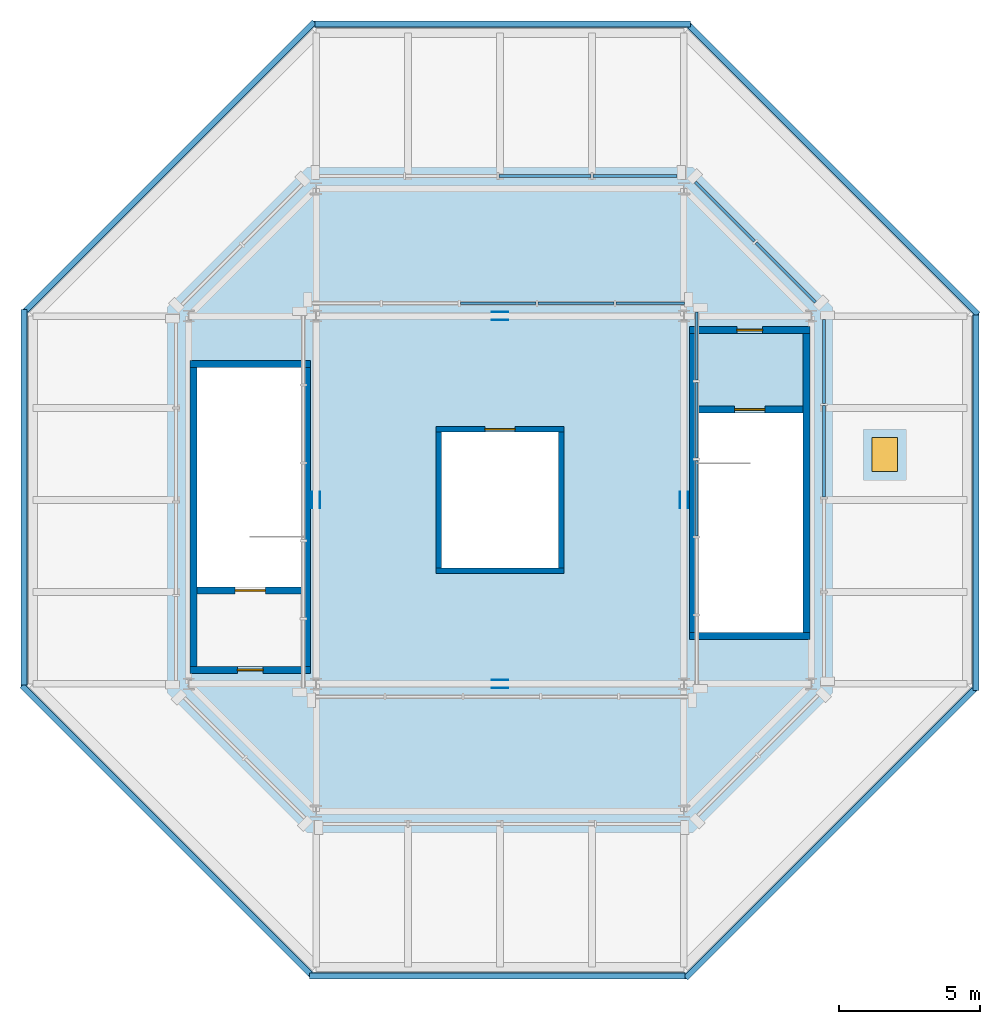
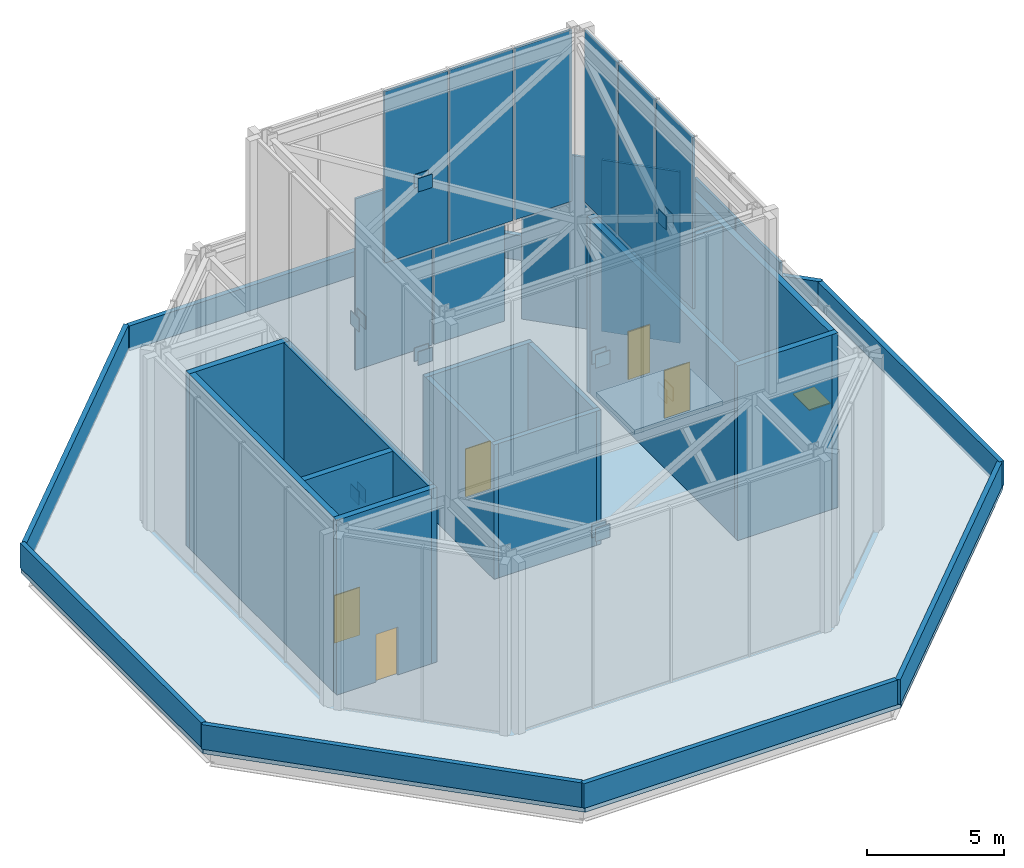
# One storey, part 5 of 6: 22 walls, 16 discrete accessories, 12 plates, 5 doors, 2 slabs, 1 window, 6 openings, 5 elements without a shape of their own.
"""IFC4 building model written with IfcOpenShell, lengths in metres."""

from ifc_helpers import new_model, si_unit, direction, frame, frame_2d, origin, origin_2d, place, context, subcontext, project, spatial, polyline, rectangle, outline, extrude, material, layer, layer_set, type_object, element, fill, aggregate, save


model = new_model("IFC4")

# Units and contexts
model_context = context("Model", 3, precision=1e-05, world=origin(), true_north=direction((0.0, 1.0)))
body_context = subcontext(model_context, "Body", "Model", "MODEL_VIEW")
ifc_project = project(units=[si_unit("LENGTHUNIT", "METRE"), si_unit("AREAUNIT", "SQUARE_METRE"), si_unit("VOLUMEUNIT", "CUBIC_METRE"), si_unit("PLANEANGLEUNIT", "RADIAN"), si_unit("MASSUNIT", "GRAM", prefix="KILO")], contexts=[model_context])

# Site, building, storey
site_placement = place(None, origin())
site = spatial("IfcSite", under=ifc_project, at=site_placement, CompositionType="ELEMENT")
building_placement = place(site_placement, origin())
building = spatial("IfcBuilding", under=site, at=building_placement, Name="Trevanion Tower", CompositionType="ELEMENT")
storey_placement = place(building_placement, frame((0.0, 0.0, 310.199951171875)))
storey = spatial("IfcBuildingStorey", under=building, at=storey_placement, Name="ROOF", CompositionType="ELEMENT", Elevation=310.199951171875)

# Curtain wall, plates
ifc_material_1 = material(Name="Aluminium louvres", Category="aluminium")
curtain_wall_type = type_object("IfcCurtainWallType", Name="CWC curtain wall", PredefinedType="USERDEFINED", material=ifc_material_1)
curtain_wall_1_placement = place(storey_placement, origin())
curtain_wall_1 = element("IfcCurtainWall", 1, at=curtain_wall_1_placement, inside=storey, type_object=curtain_wall_type, Name="CWC ROOF 0", ObjectType="LOUVRE SCREEN", PredefinedType="USERDEFINED")
ifc_material_2 = material(Name="Aluminium louvres", Category="aluminium")
ifc_layer_1 = layer(ifc_material_2, 0.10009765625)
ifc_layer_set_1 = layer_set([ifc_layer_1], Name="CWC louvre panel")
plate_type = type_object("IfcPlateType", Name="CWC louvre panel", PredefinedType="CURTAIN_PANEL", material=ifc_layer_set_1)
plate_1_placement = place(storey_placement, frame((10.097412109375, 8.0390625, 0.0751953125), z_axis=(0.0, 0.0, 1.0), x_axis=(-0.707106781187, 0.707106781187, 0.0)))
plate_1 = element("IfcPlate", 2, at=plate_1_placement, type_object=plate_type, Name="CWC panel 1.1", PredefinedType="CURTAIN_PANEL", context=body_context, shape_type="SweptSolid", body=[
    extrude(rectangle(XDim=2.9658203125, YDim=0.10009765625, at=origin_2d()), origin(), (0.0, 0.0, 1.0), 7.659912109375),
])
plate_2_placement = place(storey_placement, frame((7.947021484375, 10.189208984375, 0.0751953125), z_axis=(0.0, 0.0, 1.0), x_axis=(-0.707106781187, 0.707106781187, 0.0)))
plate_2 = element("IfcPlate", 3, at=plate_2_placement, type_object=plate_type, Name="CWC panel 2.1", PredefinedType="CURTAIN_PANEL", context=body_context, shape_type="SweptSolid", body=[
    extrude(rectangle(XDim=2.9658203125, YDim=0.10009765625, at=origin_2d()), origin(), (0.0, 0.0, 1.0), 7.659912109375),
])
aggregate(curtain_wall_1, [plate_1, plate_2])

curtain_wall_2_placement = place(storey_placement, origin())
curtain_wall_2 = element("IfcCurtainWall", 4, at=curtain_wall_2_placement, inside=storey, type_object=curtain_wall_type, Name="CWC ROOF 1", ObjectType="LOUVRE SCREEN", PredefinedType="USERDEFINED")
plate_3_placement = place(storey_placement, frame((4.769775390625, 11.449951171875, 0.0751953125), z_axis=(0.0, 0.0, 1.0), x_axis=(-1.0, 0.0, 0.0)))
plate_3 = element("IfcPlate", 5, at=plate_3_placement, type_object=plate_type, Name="CWC panel 1.1", PredefinedType="CURTAIN_PANEL", context=body_context, shape_type="SweptSolid", body=[
    extrude(rectangle(XDim=2.97314453125, YDim=0.10009765625, at=origin_2d()), origin(), (0.0, 0.0, 1.0), 7.659912109375),
])
plate_4_placement = place(storey_placement, frame((1.59033203125, 11.449951171875, 0.0751953125), z_axis=(0.0, 0.0, 1.0), x_axis=(-1.0, 0.0, 0.0)))
plate_4 = element("IfcPlate", 6, at=plate_4_placement, type_object=plate_type, Name="CWC panel 2.1", PredefinedType="CURTAIN_PANEL", context=body_context, shape_type="SweptSolid", body=[
    extrude(rectangle(XDim=3.235595703125, YDim=0.10009765625, at=origin_2d()), origin(), (0.0, 0.0, 1.0), 7.659912109375),
])
aggregate(curtain_wall_2, [plate_3, plate_4])

curtain_wall_3_placement = place(storey_placement, origin())
curtain_wall_3 = element("IfcCurtainWall", 7, at=curtain_wall_3_placement, inside=storey, type_object=curtain_wall_type, Name="CWC ROOF 7", ObjectType="LOUVRE SCREEN", PredefinedType="USERDEFINED")
plate_5_placement = place(storey_placement, frame((11.449951171875, 1.72021484375, 0.0751953125), z_axis=(0.0, 0.0, 1.0), x_axis=(0.0, 1.0, 0.0)))
plate_5 = element("IfcPlate", 8, at=plate_5_placement, type_object=plate_type, Name="CWC panel 3.1", PredefinedType="CURTAIN_PANEL", context=body_context, shape_type="SweptSolid", body=[
    extrude(rectangle(XDim=3.235595703125, YDim=0.10009765625, at=origin_2d()), origin(), (0.0, 0.0, 1.0), 7.659912109375),
])
plate_6_placement = place(storey_placement, frame((11.449951171875, 4.89990234375, 0.0751953125), z_axis=(0.0, 0.0, 1.0), x_axis=(0.0, 1.0, 0.0)))
plate_6 = element("IfcPlate", 9, at=plate_6_placement, type_object=plate_type, Name="CWC panel 4.1", PredefinedType="CURTAIN_PANEL", context=body_context, shape_type="SweptSolid", body=[
    extrude(rectangle(XDim=2.97314453125, YDim=0.10009765625, at=origin_2d()), origin(), (0.0, 0.0, 1.0), 7.659912109375),
])
aggregate(curtain_wall_3, [plate_5, plate_6])

curtain_wall_4_placement = place(storey_placement, origin())
curtain_wall_4 = element("IfcCurtainWall", 10, at=curtain_wall_4_placement, inside=storey, type_object=curtain_wall_type, Name="CWC ROOF 0", ObjectType="LOUVRE SCREEN", PredefinedType="USERDEFINED")
plate_7_placement = place(storey_placement, frame((5.311767578125, 6.949951171875, 8.0751953125), z_axis=(0.0, 0.0, 1.0), x_axis=(-1.0, 0.0, 0.0)))
plate_7 = element("IfcPlate", 11, at=plate_7_placement, type_object=plate_type, Name="CWC panel 1.1", PredefinedType="CURTAIN_PANEL", context=body_context, shape_type="SweptSolid", body=[
    extrude(rectangle(XDim=2.41650390625, YDim=0.10009765625, at=origin_2d()), origin(), (0.0, 0.0, 1.0), 7.659912109375),
])
plate_8_placement = place(storey_placement, frame((2.68896484375, 6.949951171875, 8.0751953125), z_axis=(0.0, 0.0, 1.0), x_axis=(-1.0, 0.0, 0.0)))
plate_8 = element("IfcPlate", 12, at=plate_8_placement, type_object=plate_type, Name="CWC panel 2.1", PredefinedType="CURTAIN_PANEL", context=body_context, shape_type="SweptSolid", body=[
    extrude(rectangle(XDim=2.678955078125, YDim=0.10009765625, at=origin_2d()), origin(), (0.0, 0.0, 1.0), 7.659912109375),
])
plate_9_placement = place(storey_placement, frame((-0.06494140625, 6.949951171875, 8.0751953125), z_axis=(0.0, 0.0, 1.0), x_axis=(-1.0, 0.0, 0.0)))
plate_9 = element("IfcPlate", 13, at=plate_9_placement, type_object=plate_type, Name="CWC panel 3.1", PredefinedType="CURTAIN_PANEL", context=body_context, shape_type="SweptSolid", body=[
    extrude(rectangle(XDim=2.678955078125, YDim=0.10009765625, at=origin_2d()), origin(), (0.0, 0.0, 1.0), 7.659912109375),
])
aggregate(curtain_wall_4, [plate_7, plate_8, plate_9])

curtain_wall_5_placement = place(storey_placement, origin())
curtain_wall_5 = element("IfcCurtainWall", 14, at=curtain_wall_5_placement, inside=storey, type_object=curtain_wall_type, Name="CWC ROOF 3", ObjectType="LOUVRE SCREEN", PredefinedType="USERDEFINED")
plate_10_placement = place(storey_placement, frame((6.949951171875, 0.06494140625, 8.0751953125), z_axis=(0.0, 0.0, 1.0), x_axis=(0.0, 1.0, 0.0)))
plate_10 = element("IfcPlate", 15, at=plate_10_placement, type_object=plate_type, Name="CWC panel 3.1", PredefinedType="CURTAIN_PANEL", context=body_context, shape_type="SweptSolid", body=[
    extrude(rectangle(XDim=2.678955078125, YDim=0.10009765625, at=origin_2d()), origin(), (0.0, 0.0, 1.0), 7.659912109375),
])
plate_11_placement = place(storey_placement, frame((6.949951171875, 2.819091796875, 8.0751953125), z_axis=(0.0, 0.0, 1.0), x_axis=(0.0, 1.0, 0.0)))
plate_11 = element("IfcPlate", 16, at=plate_11_placement, type_object=plate_type, Name="CWC panel 4.1", PredefinedType="CURTAIN_PANEL", context=body_context, shape_type="SweptSolid", body=[
    extrude(rectangle(XDim=2.678955078125, YDim=0.10009765625, at=origin_2d()), origin(), (0.0, 0.0, 1.0), 7.659912109375),
])
plate_12_placement = place(storey_placement, frame((6.949951171875, 5.441650390625, 8.0751953125), z_axis=(0.0, 0.0, 1.0), x_axis=(0.0, 1.0, 0.0)))
plate_12 = element("IfcPlate", 17, at=plate_12_placement, type_object=plate_type, Name="CWC panel 5.1", PredefinedType="CURTAIN_PANEL", context=body_context, shape_type="SweptSolid", body=[
    extrude(rectangle(XDim=2.41650390625, YDim=0.10009765625, at=origin_2d()), origin(), (0.0, 0.0, 1.0), 7.659912109375),
])
aggregate(curtain_wall_5, [plate_10, plate_11, plate_12])

# Slab, opening, window
ifc_material_3 = material(Name="Concrete 5,000 psi on composite metal deck", Category="concrete")
ifc_layer_2 = layer(ifc_material_3, 0.18994140625)
ifc_layer_set_2 = layer_set([ifc_layer_2], Name="RS1 composite roof 190")
slab_type_1 = type_object("IfcSlabType", Name="RS1 composite roof 190", PredefinedType="ROOF", material=ifc_layer_set_2)
slab_1_placement = place(storey_placement, frame((0.0, 0.0, -0.18994140625)))
slab_1 = element("IfcSlab", 18, at=slab_1_placement, inside=storey, type_object=slab_type_1, Name="RS1 main roof", PredefinedType="ROOF", context=body_context, shape_type="SweptSolid", body=[
    extrude(outline(polyline([(16.919921875, -6.674072265625), (16.919921875, 6.674072265625), (6.674072265625, 16.919921875), (-6.674072265625, 16.919921875), (-16.919921875, 6.674072265625), (-16.919921875, -6.674072265625), (-6.674072265625, -16.919921875), (6.674072265625, -16.919921875), (16.919921875, -6.674072265625)]), holes=[polyline([(6.949951171875, -4.675048828125), (10.699951171875, -4.675048828125), (10.699951171875, 5.875), (6.949951171875, 5.875), (6.949951171875, -4.675048828125)]), polyline([(-6.949951171875, 4.675048828125), (-10.699951171875, 4.675048828125), (-10.699951171875, -5.875), (-6.949951171875, -5.875), (-6.949951171875, 4.675048828125)]), polyline([(-2.066650390625, -2.39990234375), (2.066650390625, -2.39990234375), (2.066650390625, 2.39990234375), (-2.066650390625, 2.39990234375), (-2.066650390625, -2.39990234375)])]), origin(), (0.0, 0.0, 1.0), 0.18994140625),
])
opening_1_placement = place(slab_1_placement, frame((13.60009765625, 1.60009765625, 0.0)))
opening_1 = element("IfcOpeningElement", 19, at=opening_1_placement, cuts=slab_1, Name="Opening RH1", PredefinedType="OPENING", context=body_context, shape_type="SweptSolid", body=[
    extrude(rectangle(XDim=0.89990234375, YDim=1.199951171875, at=origin_2d()), origin(), (0.0, 0.0, 1.0), 0.18994140625),
])
ifc_material_4 = material(Name="Galvanised steel, insulated", Category="steel")
window_type = type_object("IfcWindowType", Name="RH1 roof access hatch 900x1200", PartitioningType="SINGLE_PANEL", PredefinedType="SKYLIGHT", material=ifc_material_4)
window_placement = place(opening_1_placement, frame((0.0, 0.0, 0.139892578125)))
window = element("IfcWindow", 20, at=window_placement, inside=storey, type_object=window_type, Name="RH1 ROOF", OverallHeight=1.199951171875, OverallWidth=0.89990234375, PartitioningType="SINGLE_PANEL", PredefinedType="SKYLIGHT", context=body_context, shape_type="SweptSolid", body=[
    extrude(rectangle(XDim=0.89990234375, YDim=1.199951171875, at=origin_2d()), origin(), (0.0, 0.0, 1.0), 0.050048828125),
])
fill(opening_1, window)

# Slab
ifc_material_5 = material(Name="Concrete 5,000 psi", Category="concrete")
ifc_layer_3 = layer(ifc_material_5, 0.199951171875)
ifc_layer_set_3 = layer_set([ifc_layer_3], Name="SL2 core floor 200")
slab_type_2 = type_object("IfcSlabType", Name="SL2 core floor 200", PredefinedType="FLOOR", material=ifc_layer_set_3)
slab_2_placement = place(storey_placement, frame((0.0, 0.0, -0.199951171875)))
element("IfcSlab", 21, at=slab_2_placement, inside=storey, type_object=slab_type_2, Name="SL2 ROOF E roof access lobby floor", PredefinedType="FLOOR", context=body_context, shape_type="SweptSolid", body=[
    extrude(outline(polyline([(6.949951171875, 3.074951171875), (10.699951171875, 3.074951171875), (10.699951171875, 5.875), (6.949951171875, 5.875), (6.949951171875, 3.074951171875)])), origin(), (0.0, 0.0, 1.0), 0.199951171875),
])

# Walls
ifc_material_6 = material(Name="Reinforced concrete parapet faced in bronze metal coping", Category="concrete")
ifc_layer_4 = layer(ifc_material_6, 0.199951171875)
ifc_layer_set_4 = layer_set([ifc_layer_4], Name="PP1 parapet 200")
wall_type_1 = type_object("IfcWallType", Name="PP1 parapet 200", PredefinedType="PARAPET", material=ifc_layer_set_4)
wall_1_placement = place(storey_placement, frame((16.749267578125, -6.703369140625, 0.0), z_axis=(0.0, 0.0, 1.0), x_axis=(-0.707115254047, -0.707098308225, 0.0)))
element("IfcWall", 22, at=wall_1_placement, inside=storey, type_object=wall_type_1, Name="PP1 ROOF 1", PredefinedType="PARAPET", context=body_context, shape_type="SweptSolid", body=[
    extrude(rectangle(XDim=14.4072265625, YDim=0.199951171875, at=frame_2d((7.20361328125, 0.0))), origin(), (0.0, 0.0, 1.0), 1.10009765625),
])
wall_2_placement = place(storey_placement, frame((6.532470703125, -16.820068359375, 0.0), z_axis=(0.0, 0.0, 1.0), x_axis=(-1.0, 0.0, 0.0)))
element("IfcWall", 23, at=wall_2_placement, inside=storey, type_object=wall_type_1, Name="PP1 ROOF 2", PredefinedType="PARAPET", context=body_context, shape_type="SweptSolid", body=[
    extrude(rectangle(XDim=13.264892578125, YDim=0.199951171875, at=frame_2d((6.63232421875, 0.0))), origin(), (0.0, 0.0, 1.0), 1.10009765625),
])
wall_3_placement = place(storey_placement, frame((-6.703369140625, -16.749267578125, 0.0), z_axis=(0.0, 0.0, 1.0), x_axis=(-0.707098308225, 0.707115254047, 0.0)))
element("IfcWall", 24, at=wall_3_placement, inside=storey, type_object=wall_type_1, Name="PP1 ROOF 3", PredefinedType="PARAPET", context=body_context, shape_type="SweptSolid", body=[
    extrude(rectangle(XDim=14.4072265625, YDim=0.199951171875, at=frame_2d((7.20361328125, 0.0))), origin(), (0.0, 0.0, 1.0), 1.10009765625),
])
wall_4_placement = place(storey_placement, frame((-16.820068359375, -6.532470703125, 0.0), z_axis=(0.0, 0.0, 1.0), x_axis=(0.0, 1.0, 0.0)))
element("IfcWall", 25, at=wall_4_placement, inside=storey, type_object=wall_type_1, Name="PP1 ROOF 4", PredefinedType="PARAPET", context=body_context, shape_type="SweptSolid", body=[
    extrude(rectangle(XDim=13.264892578125, YDim=0.199951171875, at=frame_2d((6.63232421875, 0.0))), origin(), (0.0, 0.0, 1.0), 1.10009765625),
])
wall_5_placement = place(storey_placement, frame((-16.749267578125, 6.703369140625, 0.0), z_axis=(0.0, 0.0, 1.0), x_axis=(0.707115254047, 0.707098308225, 0.0)))
element("IfcWall", 26, at=wall_5_placement, inside=storey, type_object=wall_type_1, Name="PP1 ROOF 5", PredefinedType="PARAPET", context=body_context, shape_type="SweptSolid", body=[
    extrude(rectangle(XDim=14.4072265625, YDim=0.199951171875, at=frame_2d((7.20361328125, 0.0))), origin(), (0.0, 0.0, 1.0), 1.10009765625),
])
wall_6_placement = place(storey_placement, frame((-6.532470703125, 16.820068359375, 0.0), z_axis=(0.0, 0.0, 1.0), x_axis=(1.0, 0.0, 0.0)))
element("IfcWall", 27, at=wall_6_placement, inside=storey, type_object=wall_type_1, Name="PP1 ROOF 6", PredefinedType="PARAPET", context=body_context, shape_type="SweptSolid", body=[
    extrude(rectangle(XDim=13.264892578125, YDim=0.199951171875, at=frame_2d((6.63232421875, 0.0))), origin(), (0.0, 0.0, 1.0), 1.10009765625),
])
wall_7_placement = place(storey_placement, frame((6.703369140625, 16.749267578125, 0.0), z_axis=(0.0, 0.0, 1.0), x_axis=(0.707098308225, -0.707115254047, 0.0)))
element("IfcWall", 28, at=wall_7_placement, inside=storey, type_object=wall_type_1, Name="PP1 ROOF 7", PredefinedType="PARAPET", context=body_context, shape_type="SweptSolid", body=[
    extrude(rectangle(XDim=14.4072265625, YDim=0.199951171875, at=frame_2d((7.20361328125, 0.0))), origin(), (0.0, 0.0, 1.0), 1.10009765625),
])
wall_8_placement = place(storey_placement, frame((16.820068359375, 6.532470703125, 0.0), z_axis=(0.0, 0.0, 1.0), x_axis=(0.0, -1.0, 0.0)))
element("IfcWall", 29, at=wall_8_placement, inside=storey, type_object=wall_type_1, Name="PP1 ROOF 8", PredefinedType="PARAPET", context=body_context, shape_type="SweptSolid", body=[
    extrude(rectangle(XDim=13.264892578125, YDim=0.199951171875, at=frame_2d((6.63232421875, 0.0))), origin(), (0.0, 0.0, 1.0), 1.10009765625),
])
ifc_material_7 = material(Name="Concrete masonry, grouted", Category="masonry")
ifc_layer_5 = layer(ifc_material_7, 0.199951171875)
ifc_layer_set_5 = layer_set([ifc_layer_5], Name="PT2 partition 200 2 HR")
wall_type_2 = type_object("IfcWallType", Name="PT2 partition 200 2 HR", PredefinedType="PARTITIONING", material=ifc_layer_set_5)
for number, where, z_axis, x_axis, name in (
    (30, (-2.166748046875, -2.60009765625, 0.0), (0.0, 0.0, 1.0), (0.0, 1.0, 0.0), "PT2 ROOF LH1"),
    (31, (2.166748046875, 2.60009765625, 0.0), (0.0, 0.0, 1.0), (0.0, -1.0, 0.0), "PT2 ROOF LH2"),
):
    element("IfcWall", number, at=place(storey_placement, frame(where, z_axis=z_axis, x_axis=x_axis)), inside=storey, type_object=wall_type_2, Name=name, PredefinedType="PARTITIONING", context=body_context, shape_type="SweptSolid", body=[
        extrude(rectangle(XDim=5.2001953125, YDim=0.199951171875, at=frame_2d((2.60009765625, 0.0))), origin(), (0.0, 0.0, 1.0), 6.0),
    ])

# Wall, opening, door
wall_9_placement = place(storey_placement, frame((-2.2666015625, 2.5, 0.0), z_axis=(0.0, 0.0, 1.0), x_axis=(1.0, 0.0, 0.0)))
wall_9 = element("IfcWall", 32, at=wall_9_placement, inside=storey, type_object=wall_type_2, Name="PT2 ROOF LH3", PredefinedType="PARTITIONING", context=body_context, shape_type="SweptSolid", body=[
    extrude(rectangle(XDim=4.533203125, YDim=0.199951171875, at=frame_2d((2.2666015625, 0.0))), origin(), (0.0, 0.0, 1.0), 6.0),
])
opening_2_placement = place(wall_9_placement, frame((1.733154296875, 0.0, 0.0)))
opening_2 = element("IfcOpeningElement", 33, at=opening_2_placement, cuts=wall_9, Name="Opening 76-005", PredefinedType="OPENING", context=body_context, shape_type="SweptSolid", body=[
    extrude(rectangle(XDim=1.06689453125, YDim=2.134033203125, at=frame_2d((0.533447265625, 1.06689453125))), frame((0.0, 0.10986328125, 0.0), z_axis=(0.0, -1.0, 0.0), x_axis=(1.0, 0.0, 0.0)), (0.0, 0.0, 1.0), 0.219970703125),
])
ifc_material_8 = material(Name="Stainless steel, fire rated", Category="steel")
door_type_1 = type_object("IfcDoorType", Name="LD1 lift landing door", OperationType="SLIDING_TO_LEFT", PredefinedType="DOOR", material=ifc_material_8)
door_1_placement = place(opening_2_placement, origin())
door_1 = element("IfcDoor", 34, at=door_1_placement, inside=storey, type_object=door_type_1, Name="Door 76-005", OperationType="SLIDING_TO_LEFT", OverallHeight=2.134033203125, OverallWidth=1.06689453125, PredefinedType="DOOR", context=body_context, shape_type="SweptSolid", body=[
    extrude(rectangle(XDim=1.06689453125, YDim=2.134033203125, at=frame_2d((0.533447265625, 1.06689453125))), frame((0.0, 0.02490234375, 0.0), z_axis=(0.0, -1.0, 0.0), x_axis=(1.0, 0.0, 0.0)), (0.0, 0.0, 1.0), 0.050048828125),
])
fill(opening_2, door_1)

# Walls
wall_10_placement = place(storey_placement, frame((2.2666015625, -2.5, 0.0), z_axis=(0.0, 0.0, 1.0), x_axis=(-1.0, 0.0, 0.0)))
element("IfcWall", 35, at=wall_10_placement, inside=storey, type_object=wall_type_2, Name="PT2 ROOF LH4", PredefinedType="PARTITIONING", context=body_context, shape_type="SweptSolid", body=[
    extrude(rectangle(XDim=4.533203125, YDim=0.199951171875, at=frame_2d((2.2666015625, 0.0))), origin(), (0.0, 0.0, 1.0), 6.0),
])
ifc_material_9 = material(Name="Concrete masonry, grouted, two-hour", Category="masonry")
ifc_layer_6 = layer(ifc_material_9, 0.25)
ifc_layer_set_6 = layer_set([ifc_layer_6], Name="PT3 partition 250 2 HR")
wall_type_3 = type_object("IfcWallType", Name="PT3 partition 250 2 HR", PredefinedType="PARTITIONING", material=ifc_layer_set_6)
for number, where, z_axis, x_axis, name in (
    (36, (10.824951171875, -4.925048828125, 0.0), (0.0, 0.0, 1.0), (0.0, 1.0, 0.0), "PT3 ROOF EH1"),
    (37, (6.824951171875, 6.125, 0.0), (0.0, 0.0, 1.0), (0.0, -1.0, 0.0), "PT3 ROOF EH2"),
):
    element("IfcWall", number, at=place(storey_placement, frame(where, z_axis=z_axis, x_axis=x_axis)), inside=storey, type_object=wall_type_3, Name=name, PredefinedType="PARTITIONING", context=body_context, shape_type="SweptSolid", body=[
        extrude(rectangle(XDim=11.050048828125, YDim=0.25, at=frame_2d((5.52490234375, 0.0))), origin(), (0.0, 0.0, 1.0), 7.81005859375),
    ])
wall_11_placement = place(storey_placement, frame((6.699951171875, -4.800048828125, 0.0), z_axis=(0.0, 0.0, 1.0), x_axis=(1.0, 0.0, 0.0)))
element("IfcWall", 38, at=wall_11_placement, inside=storey, type_object=wall_type_3, Name="PT3 ROOF EH3", PredefinedType="PARTITIONING", context=body_context, shape_type="SweptSolid", body=[
    extrude(rectangle(XDim=4.25, YDim=0.25, at=frame_2d((2.125, 0.0))), origin(), (0.0, 0.0, 1.0), 7.81005859375),
])

# Wall, opening, door
wall_12_placement = place(storey_placement, frame((10.949951171875, 6.0, 0.0), z_axis=(0.0, 0.0, 1.0), x_axis=(-1.0, 0.0, 0.0)))
wall_12 = element("IfcWall", 39, at=wall_12_placement, inside=storey, type_object=wall_type_3, Name="PT3 ROOF EH4", PredefinedType="PARTITIONING", context=body_context, shape_type="SweptSolid", body=[
    extrude(rectangle(XDim=4.25, YDim=0.25, at=frame_2d((2.125, 0.0))), origin(), (0.0, 0.0, 1.0), 7.81005859375),
])
opening_3_placement = place(wall_12_placement, frame((1.66748046875, 0.0, 0.0)))
opening_3 = element("IfcOpeningElement", 40, at=opening_3_placement, cuts=wall_12, Name="Opening 76-002", PredefinedType="OPENING", context=body_context, shape_type="SweptSolid", body=[
    extrude(rectangle(XDim=0.9150390625, YDim=2.134033203125, at=frame_2d((0.45751953125, 1.06689453125))), frame((0.0, 0.135009765625, 0.0), z_axis=(0.0, -1.0, 0.0), x_axis=(1.0, 0.0, 0.0)), (0.0, 0.0, 1.0), 0.27001953125),
])
ifc_material_10 = material(Name="Hollow metal, insulated, fire rated", Category="steel")
door_type_2 = type_object("IfcDoorType", Name="D19 roof access door", OperationType="SINGLE_SWING_RIGHT", PredefinedType="DOOR", material=ifc_material_10)
door_2_placement = place(opening_3_placement, origin())
door_2 = element("IfcDoor", 41, at=door_2_placement, inside=storey, type_object=door_type_2, Name="Door 76-002", OperationType="SINGLE_SWING_RIGHT", OverallHeight=2.134033203125, OverallWidth=0.9150390625, PredefinedType="DOOR", context=body_context, shape_type="SweptSolid", body=[
    extrude(rectangle(XDim=0.9150390625, YDim=2.134033203125, at=frame_2d((0.45751953125, 1.06689453125))), frame((0.0, 0.02490234375, 0.0), z_axis=(0.0, -1.0, 0.0), x_axis=(1.0, 0.0, 0.0)), (0.0, 0.0, 1.0), 0.050048828125),
])
fill(opening_3, door_2)

wall_13_placement = place(storey_placement, frame((6.949951171875, 3.199951171875, 0.0), z_axis=(0.0, 0.0, 1.0), x_axis=(1.0, 0.0, 0.0)))
wall_13 = element("IfcWall", 42, at=wall_13_placement, inside=storey, type_object=wall_type_3, Name="PT3 ROOF EH5", PredefinedType="PARTITIONING", context=body_context, shape_type="SweptSolid", body=[
    extrude(rectangle(XDim=3.75, YDim=0.25, at=frame_2d((1.875, 0.0))), origin(), (0.0, 0.0, 1.0), 7.81005859375),
])
opening_4_placement = place(wall_13_placement, frame((1.341552734375, 0.0, 0.0)))
opening_4 = element("IfcOpeningElement", 43, at=opening_4_placement, cuts=wall_13, Name="Opening 76-001", PredefinedType="OPENING", context=body_context, shape_type="SweptSolid", body=[
    extrude(rectangle(XDim=1.06689453125, YDim=2.134033203125, at=frame_2d((0.533447265625, 1.06689453125))), frame((0.0, 0.135009765625, 0.0), z_axis=(0.0, -1.0, 0.0), x_axis=(1.0, 0.0, 0.0)), (0.0, 0.0, 1.0), 0.27001953125),
])
ifc_material_11 = material(Name="Hollow metal, fire rated", Category="steel")
door_type_3 = type_object("IfcDoorType", Name="D2 exit stair door", OperationType="SINGLE_SWING_LEFT", PredefinedType="DOOR", material=ifc_material_11)
door_3_placement = place(opening_4_placement, origin())
door_3 = element("IfcDoor", 44, at=door_3_placement, inside=storey, type_object=door_type_3, Name="Door 76-001", OperationType="SINGLE_SWING_LEFT", OverallHeight=2.134033203125, OverallWidth=1.06689453125, PredefinedType="DOOR", context=body_context, shape_type="SweptSolid", body=[
    extrude(rectangle(XDim=1.06689453125, YDim=2.134033203125, at=frame_2d((0.533447265625, 1.06689453125))), frame((0.0, 0.02490234375, 0.0), z_axis=(0.0, -1.0, 0.0), x_axis=(1.0, 0.0, 0.0)), (0.0, 0.0, 1.0), 0.050048828125),
])
fill(opening_4, door_3)

# Walls
for number, where, z_axis, x_axis, name in (
    (45, (-10.824951171875, 4.925048828125, 0.0), (0.0, 0.0, 1.0), (0.0, -1.0, 0.0), "PT3 ROOF WH1"),
    (46, (-6.824951171875, -6.125, 0.0), (0.0, 0.0, 1.0), (0.0, 1.0, 0.0), "PT3 ROOF WH2"),
):
    element("IfcWall", number, at=place(storey_placement, frame(where, z_axis=z_axis, x_axis=x_axis)), inside=storey, type_object=wall_type_3, Name=name, PredefinedType="PARTITIONING", context=body_context, shape_type="SweptSolid", body=[
        extrude(rectangle(XDim=11.050048828125, YDim=0.25, at=frame_2d((5.52490234375, 0.0))), origin(), (0.0, 0.0, 1.0), 7.81005859375),
    ])
wall_14_placement = place(storey_placement, frame((-6.699951171875, 4.800048828125, 0.0), z_axis=(0.0, 0.0, 1.0), x_axis=(-1.0, 0.0, 0.0)))
element("IfcWall", 47, at=wall_14_placement, inside=storey, type_object=wall_type_3, Name="PT3 ROOF WH3", PredefinedType="PARTITIONING", context=body_context, shape_type="SweptSolid", body=[
    extrude(rectangle(XDim=4.25, YDim=0.25, at=frame_2d((2.125, 0.0))), origin(), (0.0, 0.0, 1.0), 7.81005859375),
])

# Wall, opening, door
wall_15_placement = place(storey_placement, frame((-10.949951171875, -6.0, 0.0), z_axis=(0.0, 0.0, 1.0), x_axis=(1.0, 0.0, 0.0)))
wall_15 = element("IfcWall", 48, at=wall_15_placement, inside=storey, type_object=wall_type_3, Name="PT3 ROOF WH4", PredefinedType="PARTITIONING", context=body_context, shape_type="SweptSolid", body=[
    extrude(rectangle(XDim=4.25, YDim=0.25, at=frame_2d((2.125, 0.0))), origin(), (0.0, 0.0, 1.0), 7.81005859375),
])
opening_5_placement = place(wall_15_placement, frame((1.66748046875, 0.0, 0.0)))
opening_5 = element("IfcOpeningElement", 49, at=opening_5_placement, cuts=wall_15, Name="Opening 76-004", PredefinedType="OPENING", context=body_context, shape_type="SweptSolid", body=[
    extrude(rectangle(XDim=0.9150390625, YDim=2.134033203125, at=frame_2d((0.45751953125, 1.06689453125))), frame((0.0, 0.135009765625, 0.0), z_axis=(0.0, -1.0, 0.0), x_axis=(1.0, 0.0, 0.0)), (0.0, 0.0, 1.0), 0.27001953125),
])
door_4_placement = place(opening_5_placement, origin())
door_4 = element("IfcDoor", 50, at=door_4_placement, inside=storey, type_object=door_type_2, Name="Door 76-004", OperationType="SINGLE_SWING_RIGHT", OverallHeight=2.134033203125, OverallWidth=0.9150390625, PredefinedType="DOOR", context=body_context, shape_type="SweptSolid", body=[
    extrude(rectangle(XDim=0.9150390625, YDim=2.134033203125, at=frame_2d((0.45751953125, 1.06689453125))), frame((0.0, 0.02490234375, 0.0), z_axis=(0.0, -1.0, 0.0), x_axis=(1.0, 0.0, 0.0)), (0.0, 0.0, 1.0), 0.050048828125),
])
fill(opening_5, door_4)

wall_16_placement = place(storey_placement, frame((-6.949951171875, -3.199951171875, 0.0), z_axis=(0.0, 0.0, 1.0), x_axis=(-1.0, 0.0, 0.0)))
wall_16 = element("IfcWall", 51, at=wall_16_placement, inside=storey, type_object=wall_type_3, Name="PT3 ROOF WH5", PredefinedType="PARTITIONING", context=body_context, shape_type="SweptSolid", body=[
    extrude(rectangle(XDim=3.75, YDim=0.25, at=frame_2d((1.875, 0.0))), origin(), (0.0, 0.0, 1.0), 7.81005859375),
])
opening_6_placement = place(wall_16_placement, frame((1.341552734375, 0.0, 0.0)))
opening_6 = element("IfcOpeningElement", 52, at=opening_6_placement, cuts=wall_16, Name="Opening 76-003", PredefinedType="OPENING", context=body_context, shape_type="SweptSolid", body=[
    extrude(rectangle(XDim=1.06689453125, YDim=2.134033203125, at=frame_2d((0.533447265625, 1.06689453125))), frame((0.0, 0.135009765625, 0.0), z_axis=(0.0, -1.0, 0.0), x_axis=(1.0, 0.0, 0.0)), (0.0, 0.0, 1.0), 0.27001953125),
])
door_5_placement = place(opening_6_placement, origin())
door_5 = element("IfcDoor", 53, at=door_5_placement, inside=storey, type_object=door_type_3, Name="Door 76-003", OperationType="SINGLE_SWING_LEFT", OverallHeight=2.134033203125, OverallWidth=1.06689453125, PredefinedType="DOOR", context=body_context, shape_type="SweptSolid", body=[
    extrude(rectangle(XDim=1.06689453125, YDim=2.134033203125, at=frame_2d((0.533447265625, 1.06689453125))), frame((0.0, 0.02490234375, 0.0), z_axis=(0.0, -1.0, 0.0), x_axis=(1.0, 0.0, 0.0)), (0.0, 0.0, 1.0), 0.050048828125),
])
fill(opening_6, door_5)

# Discrete accessories
ifc_material_12 = material(Name="Steel ASTM A572 Grade 50", Category="steel")
discrete_accessory_type = type_object("IfcDiscreteAccessoryType", Name="CX1 crossing plate 25", PredefinedType="ANCHORPLATE", material=ifc_material_12)
for number, where, z_axis, x_axis, name in (
    (54, (6.360595703125, 0.0, 3.45068359375), (0.0, 0.0, 1.0), (0.0, 1.0, 0.0), "CX1 crown T2 brace crossing plate, outer face"),
    (55, (6.639404296875, 0.0, 3.45068359375), (0.0, 0.0, 1.0), (0.0, 1.0, 0.0), "CX1 crown T2 brace crossing plate, inner face"),
    (56, (6.360595703125, 0.0, 11.201416015625), (0.0, 0.0, 1.0), (0.0, 1.0, 0.0), "CX1 crown T2 brace crossing plate, outer face"),
    (57, (6.639404296875, 0.0, 11.201416015625), (0.0, 0.0, 1.0), (0.0, 1.0, 0.0), "CX1 crown T2 brace crossing plate, inner face"),
    (58, (0.0, 6.360595703125, 3.45068359375), (0.0, 0.0, 1.0), (-1.0, 0.0, 0.0), "CX1 crown T2 brace crossing plate, outer face"),
    (59, (0.0, 6.639404296875, 3.45068359375), (0.0, 0.0, 1.0), (-1.0, 0.0, 0.0), "CX1 crown T2 brace crossing plate, inner face"),
    (60, (0.0, 6.360595703125, 11.201416015625), (0.0, 0.0, 1.0), (-1.0, 0.0, 0.0), "CX1 crown T2 brace crossing plate, outer face"),
    (61, (0.0, 6.639404296875, 11.201416015625), (0.0, 0.0, 1.0), (-1.0, 0.0, 0.0), "CX1 crown T2 brace crossing plate, inner face"),
    (62, (-6.360595703125, 0.0, 3.45068359375), (0.0, 0.0, 1.0), (0.0, -1.0, 0.0), "CX1 crown T2 brace crossing plate, outer face"),
    (63, (-6.639404296875, 0.0, 3.45068359375), (0.0, 0.0, 1.0), (0.0, -1.0, 0.0), "CX1 crown T2 brace crossing plate, inner face"),
    (64, (-6.360595703125, 0.0, 11.201416015625), (0.0, 0.0, 1.0), (0.0, -1.0, 0.0), "CX1 crown T2 brace crossing plate, outer face"),
    (65, (-6.639404296875, 0.0, 11.201416015625), (0.0, 0.0, 1.0), (0.0, -1.0, 0.0), "CX1 crown T2 brace crossing plate, inner face"),
    (66, (0.0, -6.360595703125, 3.45068359375), (0.0, 0.0, 1.0), (1.0, 0.0, 0.0), "CX1 crown T2 brace crossing plate, outer face"),
    (67, (0.0, -6.639404296875, 3.45068359375), (0.0, 0.0, 1.0), (1.0, 0.0, 0.0), "CX1 crown T2 brace crossing plate, inner face"),
    (68, (0.0, -6.360595703125, 11.201416015625), (0.0, 0.0, 1.0), (1.0, 0.0, 0.0), "CX1 crown T2 brace crossing plate, outer face"),
    (69, (0.0, -6.639404296875, 11.201416015625), (0.0, 0.0, 1.0), (1.0, 0.0, 0.0), "CX1 crown T2 brace crossing plate, inner face"),
):
    element("IfcDiscreteAccessory", number, at=place(storey_placement, frame(where, z_axis=z_axis, x_axis=x_axis)), inside=storey, type_object=discrete_accessory_type, Name=name, PredefinedType="ANCHORPLATE", context=body_context, shape_type="SweptSolid", body=[
        extrude(rectangle(XDim=0.60009765625, YDim=0.02490234375, at=origin_2d()), origin(), (0.0, 0.0, 1.0), 0.60009765625),
    ])

save(model, "model.ifc")
